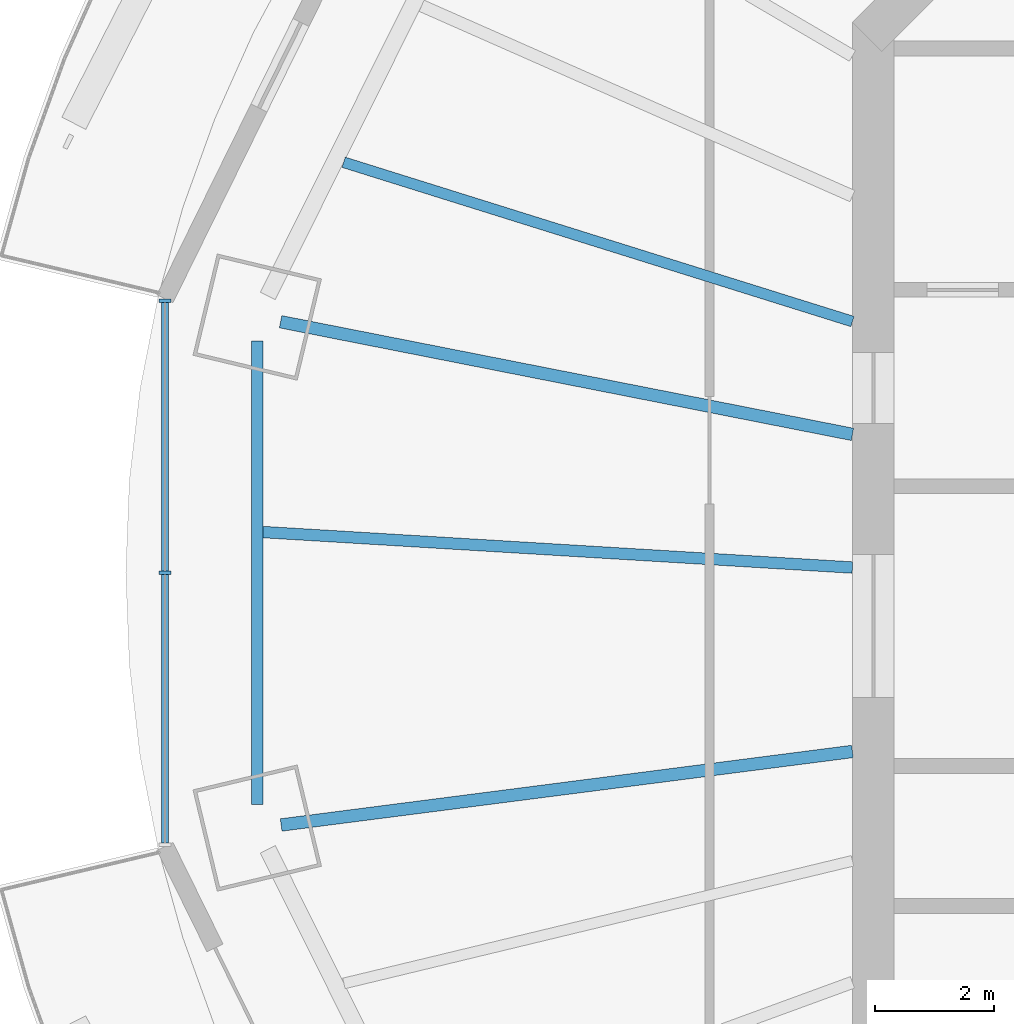
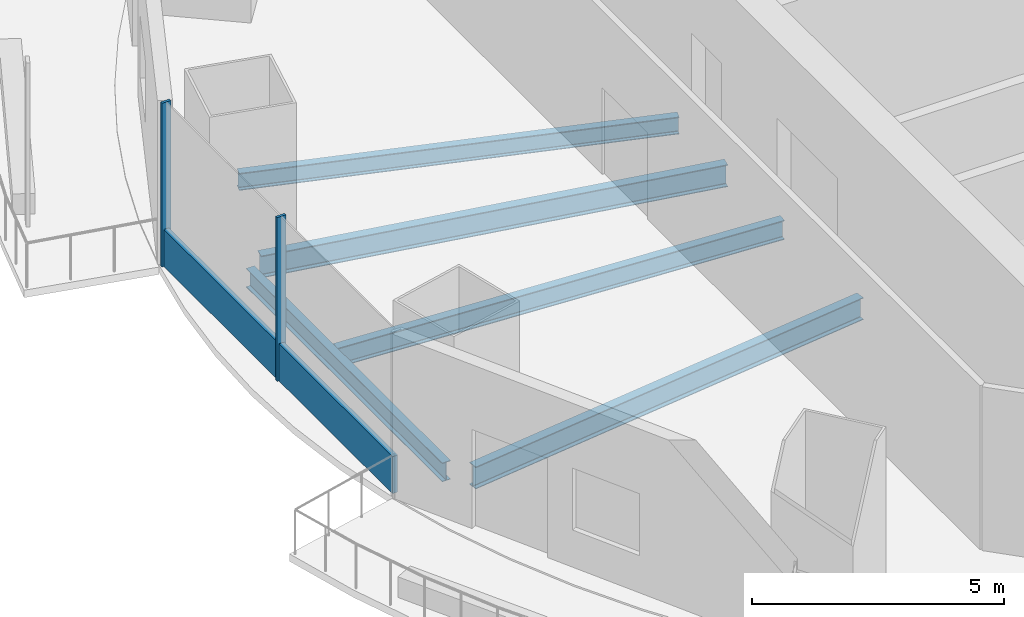
# One storey, part 3 of 16: 5 beams, 3 members, 1 element without a shape of its own.
"""IFC4 building model written with IfcOpenShell, lengths in metres."""

from ifc_helpers import new_model, si_unit, direction, frame, origin, origin_2d, place, context, subcontext, project, spatial, rectangle, i_section, extrude, material, material_profile, profile_set, type_object, element, aggregate, save


model = new_model("IFC4")

# Units and contexts
model_context = context("Model", 3, precision=1e-05, world=origin(), true_north=direction((0.0, 1.0)))
body_context = subcontext(model_context, "Body", "Model", "MODEL_VIEW")
ifc_project = project(units=[si_unit("LENGTHUNIT", "METRE"), si_unit("AREAUNIT", "SQUARE_METRE"), si_unit("VOLUMEUNIT", "CUBIC_METRE"), si_unit("PLANEANGLEUNIT", "RADIAN"), si_unit("MASSUNIT", "GRAM", prefix="KILO")], contexts=[model_context])

# Site, building, storey
site_placement = place(None, origin())
site = spatial("IfcSite", under=ifc_project, at=site_placement, CompositionType="ELEMENT")
building_placement = place(site_placement, origin())
building = spatial("IfcBuilding", under=site, at=building_placement, Name="Marenthal Gate Tower", CompositionType="ELEMENT")
storey_placement = place(building_placement, frame((0.0, 0.0, 317.699951171875)))
storey = spatial("IfcBuildingStorey", under=building, at=storey_placement, Name="L71", CompositionType="ELEMENT", Elevation=317.699951171875)

# Curtain wall, members
ifc_material_1 = material(Name="Aluminium and glass", Category="aluminium")
curtain_wall_type = type_object("IfcCurtainWallType", Name="Curtain wall typical high", PredefinedType="NOTDEFINED", material=ifc_material_1)
curtain_wall_placement = place(storey_placement, origin())
curtain_wall = element("IfcCurtainWall", 1, at=curtain_wall_placement, inside=storey, type_object=curtain_wall_type, Name="Curtain wall L71 bay 8", PredefinedType="NOTDEFINED")
ifc_material_2 = material(Name="Aluminium", Category="aluminium")
ifc_material_profile_1 = material_profile(ifc_material_2, rectangle(XDim=0.199951171875, YDim=0.06005859375, at=origin_2d()), Name="60x200 aluminium mullion")
ifc_profile_set_1 = profile_set([ifc_material_profile_1], Name="Aluminium")
member_type_1 = type_object("IfcMemberType", Name="Mullion 60x200 typical high", PredefinedType="MULLION", material=ifc_profile_set_1)
member_1_placement = place(storey_placement, frame((-27.895263671875, 5.46875, 0.0), z_axis=(0.0, 0.0, 1.0), x_axis=(1.0, 0.0, 0.0)))
member_1 = element("IfcMember", 2, at=member_1_placement, type_object=member_type_1, Name="Mullion L71 bay 8.1", PredefinedType="MULLION", context=body_context, shape_type="SweptSolid", body=[
    extrude(rectangle(XDim=0.199951171875, YDim=0.06005859375, at=origin_2d()), origin(), (0.0, 0.0, 1.0), 3.969970703125),
])
member_2_placement = place(storey_placement, frame((-27.895263671875, 0.89990234375, 0.0), z_axis=(0.0, 0.0, 1.0), x_axis=(1.0, 0.0, 0.0)))
member_2 = element("IfcMember", 3, at=member_2_placement, type_object=member_type_1, Name="Mullion L71 bay 8.2", PredefinedType="MULLION", context=body_context, shape_type="SweptSolid", body=[
    extrude(rectangle(XDim=0.199951171875, YDim=0.06005859375, at=origin_2d()), origin(), (0.0, 0.0, 1.0), 3.969970703125),
])
ifc_material_3 = material(Name="Aluminium", Category="aluminium")
ifc_material_profile_2 = material_profile(ifc_material_3, rectangle(XDim=0.1201171875, YDim=0.89990234375, at=origin_2d()), Name="120x900 aluminium transom")
ifc_profile_set_2 = profile_set([ifc_material_profile_2], Name="Aluminium")
member_type_2 = type_object("IfcMemberType", Name="Transom 120x900 typical high", PredefinedType="USERDEFINED", material=ifc_profile_set_2)
member_3_placement = place(storey_placement, frame((-27.895263671875, 5.438720703125, 0.449951171875), z_axis=(0.0, -1.0, 0.0), x_axis=(1.0, 0.0, 0.0)))
member_3 = element("IfcMember", 4, at=member_3_placement, type_object=member_type_2, Name="Transom L71 bay 8", ObjectType="TRANSOM", PredefinedType="USERDEFINED", context=body_context, shape_type="SweptSolid", body=[
    extrude(rectangle(XDim=0.1201171875, YDim=0.89990234375, at=origin_2d()), origin(), (0.0, 0.0, 1.0), 9.077392578125),
])
aggregate(curtain_wall, [member_1, member_2, member_3])

# Beams
ifc_material_4 = material(Name="Steel S355", Category="steel")
ifc_material_profile_3 = material_profile(ifc_material_4, i_section(OverallWidth=0.180908203125, OverallDepth=0.4169921875, WebThickness=0.010986328125, FlangeThickness=0.018310546875, FilletRadius=0.01025390625, at=origin_2d()), Name="W410X85")
ifc_profile_set_3 = profile_set([ifc_material_profile_3], Name="Steel S355")
beam_type_1 = type_object("IfcBeamType", Name="W410X85 beam", PredefinedType="BEAM", material=ifc_profile_set_3)
beam_1_placement = place(storey_placement, frame((-24.894287109375, 7.790771484375, -0.388427734375), z_axis=(0.95435227697, -0.298683329704, 0.0), x_axis=(0.298683329704, 0.95435227697, 0.0)))
element("IfcBeam", 5, at=beam_1_placement, inside=storey, type_object=beam_type_1, Name="BM-L71-27", PredefinedType="BEAM", context=body_context, shape_type="SweptSolid", body=[
    extrude(i_section(OverallWidth=0.180908203125, OverallDepth=0.4169921875, WebThickness=0.010986328125, FlangeThickness=0.018310546875, FilletRadius=0.01025390625, at=origin_2d()), origin(), (0.0, 0.0, 1.0), 8.952880859375),
])
ifc_material_5 = material(Name="Steel S355", Category="steel")
ifc_material_profile_4 = material_profile(ifc_material_5, i_section(OverallWidth=0.19091796875, OverallDepth=0.45703125, WebThickness=0.009033203125, FlangeThickness=0.014404296875, FilletRadius=0.01025390625, at=origin_2d()), Name="W460X74")
ifc_profile_set_4 = profile_set([ifc_material_profile_4], Name="Steel S355")
beam_type_2 = type_object("IfcBeamType", Name="W460X74 beam", PredefinedType="BEAM", material=ifc_profile_set_4)
beam_2_placement = place(storey_placement, frame((-26.345703125, 4.790771484375, -0.408447265625), z_axis=(0.0, -1.0, 0.0), x_axis=(1.0, 0.0, 0.0)))
element("IfcBeam", 6, at=beam_2_placement, inside=storey, type_object=beam_type_2, Name="BM-L71-48", PredefinedType="BEAM", context=body_context, shape_type="SweptSolid", body=[
    extrude(i_section(OverallWidth=0.19091796875, OverallDepth=0.45703125, WebThickness=0.009033203125, FlangeThickness=0.014404296875, FilletRadius=0.01025390625, at=origin_2d()), origin(), (0.0, 0.0, 1.0), 7.781494140625),
])
ifc_material_6 = material(Name="Steel S355", Category="steel")
ifc_material_profile_5 = material_profile(ifc_material_6, i_section(OverallWidth=0.193115234375, OverallDepth=0.467041015625, WebThickness=0.011474609375, FlangeThickness=0.01904296875, FilletRadius=0.010009765625, at=origin_2d()), Name="W460X97")
ifc_profile_set_5 = profile_set([ifc_material_profile_5], Name="Steel S355")
beam_type_3 = type_object("IfcBeamType", Name="W460X97 beam", PredefinedType="BEAM", material=ifc_profile_set_5)
beam_3_placement = place(storey_placement, frame((-26.250244140625, 1.580810546875, -0.413330078125), z_axis=(0.998191664878, -0.060111564342, 0.0), x_axis=(0.060111564342, 0.998191664878, 0.0)))
element("IfcBeam", 7, at=beam_3_placement, inside=storey, type_object=beam_type_3, Name="BM-L71-28", PredefinedType="BEAM", context=body_context, shape_type="SweptSolid", body=[
    extrude(i_section(OverallWidth=0.193115234375, OverallDepth=0.467041015625, WebThickness=0.011474609375, FlangeThickness=0.01904296875, FilletRadius=0.010009765625, at=origin_2d()), origin(), (0.0, 0.0, 1.0), 9.91796875),
])
ifc_material_7 = material(Name="Steel S355", Category="steel")
ifc_material_profile_6 = material_profile(ifc_material_7, i_section(OverallWidth=0.2099609375, OverallDepth=0.535888671875, WebThickness=0.010986328125, FlangeThickness=0.017333984375, FilletRadius=0.0126953125, at=origin_2d()), Name="W530X101")
ifc_profile_set_6 = profile_set([ifc_material_profile_6], Name="Steel S355")
beam_type_4 = type_object("IfcBeamType", Name="W530X101 beam", PredefinedType="BEAM", material=ifc_profile_set_6)
beam_4_placement = place(storey_placement, frame((-25.95263671875, 5.11279296875, -0.447998046875), z_axis=(0.981144546244, -0.19327539775, 0.0), x_axis=(0.19327539775, 0.981144546244, 0.0)))
element("IfcBeam", 8, at=beam_4_placement, inside=storey, type_object=beam_type_4, Name="BM-L71-08", PredefinedType="BEAM", context=body_context, shape_type="SweptSolid", body=[
    extrude(i_section(OverallWidth=0.2099609375, OverallDepth=0.535888671875, WebThickness=0.010986328125, FlangeThickness=0.017333984375, FilletRadius=0.0126953125, at=origin_2d()), origin(), (0.0, 0.0, 1.0), 9.787109375),
])
beam_5_placement = place(storey_placement, frame((-25.94384765625, -3.338623046875, -0.447998046875), z_axis=(0.991820901391, 0.127637375263, 0.0), x_axis=(-0.127637375263, 0.991820901391, 0.0)))
element("IfcBeam", 9, at=beam_5_placement, inside=storey, type_object=beam_type_4, Name="BM-L71-09", PredefinedType="BEAM", context=body_context, shape_type="SweptSolid", body=[
    extrude(i_section(OverallWidth=0.2099609375, OverallDepth=0.535888671875, WebThickness=0.010986328125, FlangeThickness=0.017333984375, FilletRadius=0.0126953125, at=origin_2d()), origin(), (0.0, 0.0, 1.0), 9.6728515625),
])

save(model, "model.ifc")
